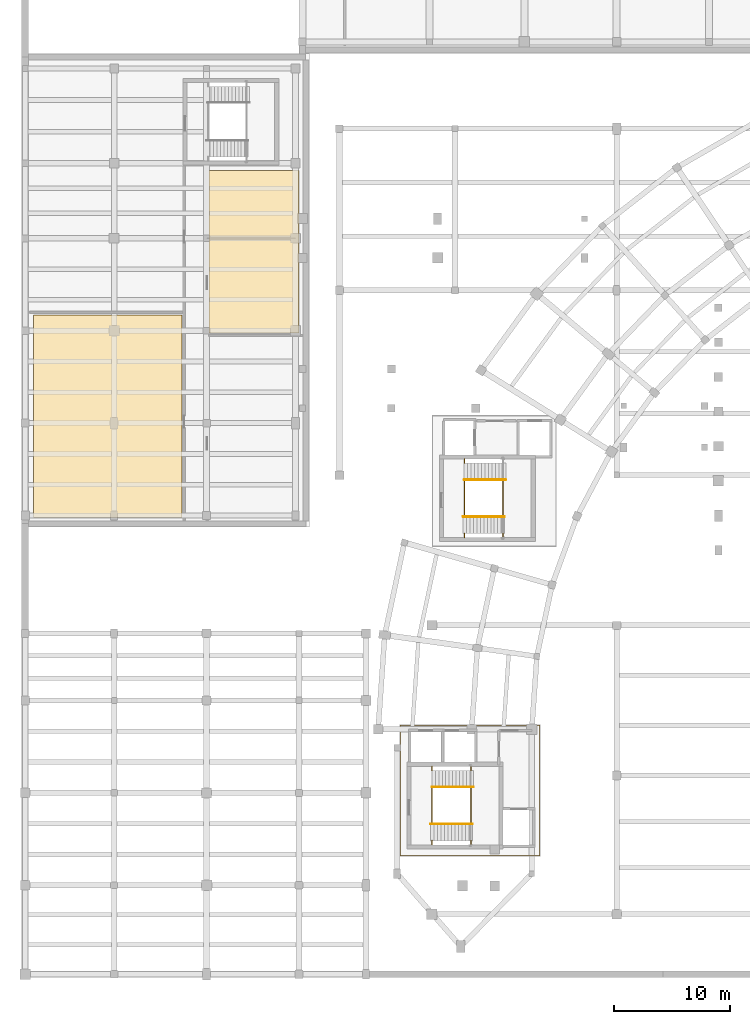
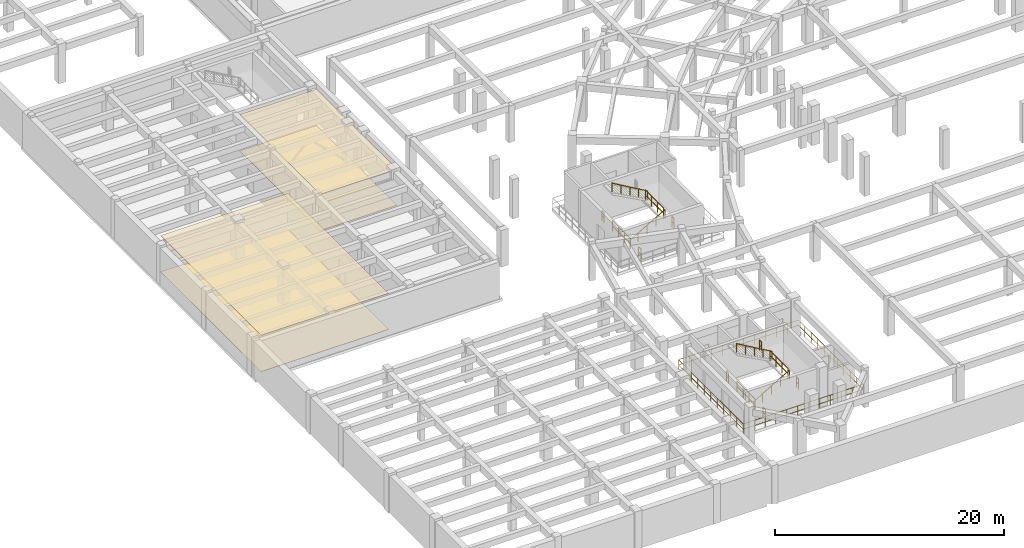
# One storey, part 29 of 35: 16 railings, 4 coverings.
"""IFC4 building model written with IfcOpenShell, lengths in metres."""

import ifcopenshell
import ifcopenshell.guid

model = None  # the IFC model being written
_history = None  # IfcOwnerHistory: only IFC2X3 demands one
_inside = {}  # id of a spatial element -> (the spatial element, [elements in it])
_under = {}  # id of a project, library or spatial element -> (it, [spatial elements below it])
_declared = {}  # id of a project -> (the project, [libraries it declares])
_typed = {}  # id of a type object -> (the type object, [elements of that type])
_made_of = {}  # id of a material, layer set ... -> (it, [elements and type objects made of it])


def new_model(schema):
    """Start an empty IFC model of exactly this schema.

    Asked for "IFC4X3", IfcOpenShell would pick the latest addendum, in which some entities
    have other attributes; the version numbers below select the first issue.
    IFC2X3 requires an IfcOwnerHistory on every rooted entity: one is made here for all.
    """
    global model, _history
    if schema == "IFC4X3":
        model = ifcopenshell.file(schema_version=(4, 3, 0, 0))
    else:
        model = ifcopenshell.file(schema=schema)
    _inside.clear()
    _under.clear()
    _declared.clear()
    _typed.clear()
    _made_of.clear()
    _history = None
    if model.schema == "IFC2X3":
        org = make("IfcOrganization", Name="unknown")
        user = make(
            "IfcPersonAndOrganization",
            ThePerson=make("IfcPerson", FamilyName="unknown"),
            TheOrganization=org,
        )
        app = make(
            "IfcApplication",
            ApplicationDeveloper=org,
            Version="unknown",
            ApplicationFullName="unknown",
            ApplicationIdentifier="unknown",
        )
        _history = make(
            "IfcOwnerHistory",
            OwningUser=user,
            OwningApplication=app,
            ChangeAction="ADDED",
            CreationDate=0,
        )
    return model


def make(cls, **values):
    """One entity of the class cls with the attributes given. An attribute that is None is left unset."""
    return model.create_entity(
        cls, **{name: value for name, value in values.items() if value is not None}
    )


def rooted(cls, **values):
    """An entity with a GlobalId (a new one), such as an element, a storey or a relation."""
    return make(cls, GlobalId=ifcopenshell.guid.new(), OwnerHistory=_history, **values)


def si_unit(unit_type, name, prefix=None):
    """IfcSIUnit, for example si_unit("LENGTHUNIT", "METRE", prefix="MILLI")."""
    return make("IfcSIUnit", UnitType=unit_type, Prefix=prefix, Name=name)


def assignment(units):
    """IfcUnitAssignment: the units of a project."""
    return None if units is None else make("IfcUnitAssignment", Units=units)


def point(xyz):
    """IfcCartesianPoint."""
    return None if xyz is None else make("IfcCartesianPoint", Coordinates=xyz)


def direction(xyz):
    """IfcDirection."""
    return None if xyz is None else make("IfcDirection", DirectionRatios=xyz)


def frame(location, z_axis=None, x_axis=None):
    """IfcAxis2Placement3D, a coordinate frame: its origin and axes. An axis left out is left unset."""
    return make(
        "IfcAxis2Placement3D",
        Location=point(location),
        Axis=direction(z_axis),
        RefDirection=direction(x_axis),
    )


def frame_2d(location, x_axis=None):
    """IfcAxis2Placement2D, a coordinate frame in the plane: its origin and x axis."""
    return make(
        "IfcAxis2Placement2D", Location=point(location), RefDirection=direction(x_axis)
    )


def origin():
    """The frame at (0, 0, 0) with its axes left unset."""
    return frame((0.0, 0.0, 0.0))


def origin_2d():
    """The frame at (0, 0) in the plane with its x axis left unset."""
    return frame_2d((0.0, 0.0))


def place(relative_to, where):
    """IfcLocalPlacement: puts the frame where relative to a parent placement (None: the world)."""
    return make(
        "IfcLocalPlacement", PlacementRelTo=relative_to, RelativePlacement=where
    )


def context(
    kind, dimensions, precision=None, world=None, true_north=None, identifier=None
):
    """IfcGeometricRepresentationContext, for example the 3D "Model" context."""
    return make(
        "IfcGeometricRepresentationContext",
        ContextIdentifier=identifier,
        ContextType=kind,
        CoordinateSpaceDimension=dimensions,
        Precision=precision,
        WorldCoordinateSystem=world,
        TrueNorth=true_north,
    )


def subcontext(parent, identifier, kind, view, scale=None):
    """IfcGeometricRepresentationSubContext, for example "Body" below "Model"."""
    return make(
        "IfcGeometricRepresentationSubContext",
        ContextIdentifier=identifier,
        ContextType=kind,
        ParentContext=parent,
        TargetScale=scale,
        TargetView=view,
    )


def project(units=None, contexts=None):
    """IfcProject with its units and contexts."""
    return rooted(
        "IfcProject",
        Name="project",
        RepresentationContexts=contexts,
        UnitsInContext=assignment(units),
    )


def spatial(cls, under=None, at=None, **own):
    """A site, building, storey or space (cls), placed at a placement, below another one or the project."""
    s = rooted(cls, ObjectPlacement=at, **own)
    if under is not None:
        _under.setdefault(under.id(), (under, []))[1].append(s)
    return s


def polyline(points):
    """IfcPolyline through the points."""
    return make("IfcPolyline", Points=[point(p) for p in points])


def profile(cls, at=None, kind="AREA", **sizes):
    """A parametric profile (cls). Its sizes go by their IFC names, for example OverallWidth=200.0."""
    return make(cls, ProfileType=kind, Position=at, **sizes)


def circle(**sizes):
    """IfcCircleProfileDef."""
    return profile("IfcCircleProfileDef", **sizes)


def outline(outer, holes=None, kind="AREA"):
    """IfcArbitraryClosedProfileDef: a profile drawn as a closed curve; with holes, ...WithVoids."""
    if holes is None:
        return make("IfcArbitraryClosedProfileDef", ProfileType=kind, OuterCurve=outer)
    return make(
        "IfcArbitraryProfileDefWithVoids",
        ProfileType=kind,
        OuterCurve=outer,
        InnerCurves=holes,
    )


def extrude(swept, where, along, depth):
    """IfcExtrudedAreaSolid: the profile swept, set in the frame where, extruded along a direction by depth."""
    return make(
        "IfcExtrudedAreaSolid",
        SweptArea=swept,
        Position=where,
        ExtrudedDirection=direction(along),
        Depth=depth,
    )


def shape(context_of_items, identifier, shape_type, items):
    """IfcShapeRepresentation: the items that make up one representation, for example the "Body"."""
    return make(
        "IfcShapeRepresentation",
        ContextOfItems=context_of_items,
        RepresentationIdentifier=identifier,
        RepresentationType=shape_type,
        Items=items,
    )


def material(Name=None, Category=None):
    """IfcMaterial."""
    return make("IfcMaterial", Name=Name, Category=Category)


def layer(
    of_material, thickness, ventilated=None, Name=None, Category=None, Priority=None
):
    """IfcMaterialLayer: one layer of a wall or slab, of a material (None: an air gap)."""
    return make(
        "IfcMaterialLayer",
        Material=of_material,
        LayerThickness=thickness,
        IsVentilated=ventilated,
        Name=Name,
        Category=Category,
        Priority=Priority,
    )


def layer_set(layers, Name=None):
    """IfcMaterialLayerSet."""
    return make("IfcMaterialLayerSet", MaterialLayers=layers, LayerSetName=Name)


def made_of(thing, what):
    """Note that an element or type object is made of a material, layer set ...; save() writes the relation."""
    if what is not None:
        _made_of.setdefault(what.id(), (what, []))[1].append(thing)
    return thing


def type_object(cls, material=None, **own):
    """A type object (cls), such as IfcWallType, which elements share."""
    return made_of(rooted(cls, **own), material)


def element(
    cls,
    number,
    at=None,
    inside=None,
    cuts=None,
    type_object=None,
    material=None,
    context=None,
    identifier="Body",
    shape_type=None,
    held_by="IfcProductDefinitionShape",
    body=None,
    shapes=None,
    **own,
):
    """One element of the class cls, such as IfcWall. Its Tag is "e" and its number.

    at: its placement. inside: the storey or other place that contains it. cuts: it is an
    opening in that element (IfcRelVoidsElement). A single representation is given by context,
    identifier, shape_type and body (its items); several are given by shapes. held_by: the class
    of the entity that holds the representations. save() writes the other relations.
    """
    e = rooted(cls, Tag="e%d" % number, ObjectPlacement=at, **own)
    if body is not None:
        shapes = [shape(context, identifier, shape_type, body)]
    if shapes is not None:
        e.Representation = make(held_by, Representations=shapes)
    if inside is not None:
        _inside.setdefault(inside.id(), (inside, []))[1].append(e)
    if cuts is not None:
        rooted(
            "IfcRelVoidsElement", RelatingBuildingElement=cuts, RelatedOpeningElement=e
        )
    if type_object is not None:
        _typed.setdefault(type_object.id(), (type_object, []))[1].append(e)
    return made_of(e, material)


def aggregate(whole, parts):
    """IfcRelAggregates: a whole, such as a stair, and the parts it consists of."""
    return rooted("IfcRelAggregates", RelatingObject=whole, RelatedObjects=parts)


def save(model, path):
    """Write the relations noted so far, then the file.

    IfcRelAggregates (storeys below a building ...), IfcRelContainedInSpatialStructure (elements
    in a storey), IfcRelDefinesByType, IfcRelAssociatesMaterial and IfcRelDeclares: one each for
    every whole, place, type object, material and project.
    """
    for whole, parts in _under.values():
        aggregate(whole, parts)
    for where, things in _inside.values():
        rooted(
            "IfcRelContainedInSpatialStructure",
            RelatedElements=things,
            RelatingStructure=where,
        )
    for kind, things in _typed.values():
        rooted("IfcRelDefinesByType", RelatedObjects=things, RelatingType=kind)
    for what, things in _made_of.values():
        rooted("IfcRelAssociatesMaterial", RelatedObjects=things, RelatingMaterial=what)
    for by, libraries in _declared.values():
        rooted("IfcRelDeclares", RelatingContext=by, RelatedDefinitions=libraries)
    model.write(path)


model = new_model("IFC4")

# Units and contexts
model_context = context("Model", 3, precision=1e-05, world=origin(), true_north=direction((0.0, 1.0)))
body_context = subcontext(model_context, "Body", "Model", "MODEL_VIEW")
ifc_project = project(units=[si_unit("LENGTHUNIT", "METRE"), si_unit("AREAUNIT", "SQUARE_METRE"), si_unit("VOLUMEUNIT", "CUBIC_METRE"), si_unit("PLANEANGLEUNIT", "RADIAN"), si_unit("MASSUNIT", "GRAM", prefix="KILO"), si_unit("THERMODYNAMICTEMPERATUREUNIT", "KELVIN"), si_unit("POWERUNIT", "WATT")], contexts=[model_context])

# Site, building, storey
site_placement = place(None, origin())
site = spatial("IfcSite", under=ifc_project, at=site_placement, CompositionType="ELEMENT")
building_placement = place(site_placement, origin())
building = spatial("IfcBuilding", under=site, at=building_placement, Name="Solvatero Civic Police Headquarters", CompositionType="ELEMENT")
storey_placement = place(building_placement, frame((0.0, 0.0, -4.199951171875)))
storey = spatial("IfcBuildingStorey", under=building, at=storey_placement, Name="B01", CompositionType="ELEMENT", Elevation=-4.199951171875)

# Coverings
ifc_material_1 = material(Name="Mineral-Fibre Acoustic Tile", Category="gypsum")
ifc_layer_1 = layer(ifc_material_1, 0.02490234375)
ifc_layer_set_1 = layer_set([ifc_layer_1], Name="Mineral-Fibre Acoustic Tile")
covering_type_1 = type_object("IfcCoveringType", Name="COV-CEIL-AC", PredefinedType="CEILING", material=ifc_layer_set_1)
covering_1_placement = place(storey_placement, frame((0.0, 0.0, 3.875)))
element("IfcCovering", 1, at=covering_1_placement, inside=storey, type_object=covering_type_1, Name="Acoustic Ceiling Central Evidence Intake and Barcoding Room", PredefinedType="CEILING", context=body_context, shape_type="SweptSolid", body=[
    extrude(outline(polyline([(5.52001953125, 44.320068359375), (5.52001953125, 61.8798828125), (18.3798828125, 61.8798828125), (18.3798828125, 44.320068359375), (5.52001953125, 44.320068359375)])), origin(), (0.0, 0.0, 1.0), 0.02490234375),
])
covering_2_placement = place(storey_placement, frame((0.0, 0.0, 3.875)))
element("IfcCovering", 2, at=covering_2_placement, inside=storey, type_object=covering_type_1, Name="Acoustic Ceiling Resilient Telecoms MDF Room A", PredefinedType="CEILING", context=body_context, shape_type="SweptSolid", body=[
    extrude(outline(polyline([(20.719970703125, 60.320068359375), (20.719970703125, 74.3798828125), (28.47998046875, 74.3798828125), (28.47998046875, 60.320068359375), (20.719970703125, 60.320068359375)])), origin(), (0.0, 0.0, 1.0), 0.02490234375),
])
ifc_material_2 = material(Name="Venetian Terrazzo Stone", Category="masonry")
ifc_layer_2 = layer(ifc_material_2, 0.034912109375)
ifc_layer_set_2 = layer_set([ifc_layer_2], Name="Venetian Terrazzo Stone")
covering_type_2 = type_object("IfcCoveringType", Name="COV-FLR-TER", PredefinedType="FLOORING", material=ifc_layer_set_2)
covering_3_placement = place(storey_placement, origin())
element("IfcCovering", 3, at=covering_3_placement, inside=storey, type_object=covering_type_2, Name="Flooring Central Evidence Intake and Barcoding Room", PredefinedType="FLOORING", context=body_context, shape_type="SweptSolid", body=[
    extrude(outline(polyline([(5.52001953125, 44.320068359375), (5.52001953125, 61.8798828125), (18.3798828125, 61.8798828125), (18.3798828125, 44.320068359375), (5.52001953125, 44.320068359375)])), origin(), (0.0, 0.0, 1.0), 0.034912109375),
])
covering_4_placement = place(storey_placement, origin())
element("IfcCovering", 4, at=covering_4_placement, inside=storey, type_object=covering_type_2, Name="Flooring Resilient Telecoms MDF Room A", PredefinedType="FLOORING", context=body_context, shape_type="SweptSolid", body=[
    extrude(outline(polyline([(20.719970703125, 60.320068359375), (20.719970703125, 74.3798828125), (28.47998046875, 74.3798828125), (28.47998046875, 60.320068359375), (20.719970703125, 60.320068359375)])), origin(), (0.0, 0.0, 1.0), 0.034912109375),
])

# Railings
ifc_material_3 = material(Name="Painted Galvanized Steel", Category="steel")
railing_type_1 = type_object("IfcRailingType", Name="RL-GRD-110", PredefinedType="GUARDRAIL", material=ifc_material_3)
railing_1_placement = place(storey_placement, frame((40.030029296875, 17.830078125, 0.0)))
element("IfcRailing", 5, at=railing_1_placement, inside=storey, type_object=railing_type_1, Name="ST-C1 B01 Floor Well Guardrail", PredefinedType="GUARDRAIL", context=body_context, shape_type="SweptSolid", body=[
    extrude(circle(Radius=0.02392578125, at=origin_2d()), frame((0.0, 0.0, 1.09619140625), z_axis=(0.0, 1.0, 0.0), x_axis=(-1.0, 0.0, 0.0)), (0.0, 0.0, 1.0), 3.139892578125),
    extrude(circle(Radius=0.02392578125, at=origin_2d()), frame((0.0, 0.0, 0.5361328125), z_axis=(0.0, 1.0, 0.0), x_axis=(-1.0, 0.0, 0.0)), (0.0, 0.0, 1.0), 3.139892578125),
    extrude(circle(Radius=0.02099609375, at=origin_2d()), origin(), (0.0, 0.0, 1.0), 1.072021484375),
    extrude(circle(Radius=0.02099609375, at=origin_2d()), frame((0.0, 1.046630859375, 0.0)), (0.0, 0.0, 1.0), 1.072021484375),
    extrude(circle(Radius=0.02099609375, at=origin_2d()), frame((0.0, 2.09326171875, 0.0)), (0.0, 0.0, 1.0), 1.072021484375),
    extrude(circle(Radius=0.02099609375, at=origin_2d()), frame((0.0, 3.139892578125, 0.0)), (0.0, 0.0, 1.0), 1.072021484375),
])
for number, where, name in (
    (6, (40.030029296875, 16.010009765625, 0.0), "ST-C1 B01 Floor Well South Slot Guardrail"),
    (7, (40.030029296875, 22.429931640625, 0.0), "ST-C1 B01 Floor Well North Slot Guardrail"),
):
    element("IfcRailing", number, at=place(storey_placement, frame(where)), inside=storey, type_object=railing_type_1, Name=name, PredefinedType="GUARDRAIL", context=body_context, shape_type="SweptSolid", body=[
        extrude(circle(Radius=0.02392578125, at=origin_2d()), frame((0.0, 0.0, 1.09619140625), z_axis=(0.0, 1.0, 0.0), x_axis=(-1.0, 0.0, 0.0)), (0.0, 0.0, 1.0), 0.360107421875),
        extrude(circle(Radius=0.02392578125, at=origin_2d()), frame((0.0, 0.0, 0.5361328125), z_axis=(0.0, 1.0, 0.0), x_axis=(-1.0, 0.0, 0.0)), (0.0, 0.0, 1.0), 0.360107421875),
        extrude(circle(Radius=0.02099609375, at=origin_2d()), origin(), (0.0, 0.0, 1.0), 1.072021484375),
        extrude(circle(Radius=0.02099609375, at=origin_2d()), frame((0.0, 0.360107421875, 0.0)), (0.0, 0.0, 1.0), 1.072021484375),
    ])
railing_2_placement = place(storey_placement, frame((43.3701171875, 17.830078125, 2.099853515625)))
element("IfcRailing", 8, at=railing_2_placement, inside=storey, type_object=railing_type_1, Name="ST-C1 B01 Half-Landing Well Guardrail", PredefinedType="GUARDRAIL", context=body_context, shape_type="SweptSolid", body=[
    extrude(circle(Radius=0.02392578125, at=origin_2d()), frame((0.0, 0.0, 1.09619140625), z_axis=(0.0, 1.0, 0.0), x_axis=(-1.0, 0.0, 0.0)), (0.0, 0.0, 1.0), 3.139892578125),
    extrude(circle(Radius=0.02392578125, at=origin_2d()), frame((0.0, 0.0, 0.5361328125), z_axis=(0.0, 1.0, 0.0), x_axis=(-1.0, 0.0, 0.0)), (0.0, 0.0, 1.0), 3.139892578125),
    extrude(circle(Radius=0.02099609375, at=origin_2d()), origin(), (0.0, 0.0, 1.0), 1.072021484375),
    extrude(circle(Radius=0.02099609375, at=origin_2d()), frame((0.0, 1.046630859375, 0.0)), (0.0, 0.0, 1.0), 1.072021484375),
    extrude(circle(Radius=0.02099609375, at=origin_2d()), frame((0.0, 2.09326171875, 0.0)), (0.0, 0.0, 1.0), 1.072021484375),
    extrude(circle(Radius=0.02099609375, at=origin_2d()), frame((0.0, 3.139892578125, 0.0)), (0.0, 0.0, 1.0), 1.072021484375),
])
for number, where, name in (
    (9, (43.3701171875, 16.010009765625, 2.099853515625), "ST-C1 B01 Half-Landing South Slot Guardrail"),
    (10, (43.3701171875, 22.429931640625, 2.099853515625), "ST-C1 B01 Half-Landing North Slot Guardrail"),
):
    element("IfcRailing", number, at=place(storey_placement, frame(where)), inside=storey, type_object=railing_type_1, Name=name, PredefinedType="GUARDRAIL", context=body_context, shape_type="SweptSolid", body=[
        extrude(circle(Radius=0.02392578125, at=origin_2d()), frame((0.0, 0.0, 1.09619140625), z_axis=(0.0, 1.0, 0.0), x_axis=(-1.0, 0.0, 0.0)), (0.0, 0.0, 1.0), 0.360107421875),
        extrude(circle(Radius=0.02392578125, at=origin_2d()), frame((0.0, 0.0, 0.5361328125), z_axis=(0.0, 1.0, 0.0), x_axis=(-1.0, 0.0, 0.0)), (0.0, 0.0, 1.0), 0.360107421875),
        extrude(circle(Radius=0.02099609375, at=origin_2d()), origin(), (0.0, 0.0, 1.0), 1.072021484375),
        extrude(circle(Radius=0.02099609375, at=origin_2d()), frame((0.0, 0.360107421875, 0.0)), (0.0, 0.0, 1.0), 1.072021484375),
    ])
railing_3_placement = place(storey_placement, frame((42.830078125, 44.429931640625, 0.0)))
element("IfcRailing", 11, at=railing_3_placement, inside=storey, type_object=railing_type_1, Name="ST-C2 B01 Floor Well Guardrail", PredefinedType="GUARDRAIL", context=body_context, shape_type="SweptSolid", body=[
    extrude(circle(Radius=0.02392578125, at=origin_2d()), frame((0.0, 0.0, 1.09619140625), z_axis=(0.0, 1.0, 0.0), x_axis=(-1.0, 0.0, 0.0)), (0.0, 0.0, 1.0), 3.14013671875),
    extrude(circle(Radius=0.02392578125, at=origin_2d()), frame((0.0, 0.0, 0.5361328125), z_axis=(0.0, 1.0, 0.0), x_axis=(-1.0, 0.0, 0.0)), (0.0, 0.0, 1.0), 3.14013671875),
    extrude(circle(Radius=0.02099609375, at=origin_2d()), origin(), (0.0, 0.0, 1.0), 1.072021484375),
    extrude(circle(Radius=0.02099609375, at=origin_2d()), frame((0.0, 1.046630859375, 0.0)), (0.0, 0.0, 1.0), 1.072021484375),
    extrude(circle(Radius=0.02099609375, at=origin_2d()), frame((0.0, 2.093505859375, 0.0)), (0.0, 0.0, 1.0), 1.072021484375),
    extrude(circle(Radius=0.02099609375, at=origin_2d()), frame((0.0, 3.14013671875, 0.0)), (0.0, 0.0, 1.0), 1.072021484375),
])
for number, where, name in (
    (12, (42.830078125, 42.610107421875, 0.0), "ST-C2 B01 Floor Well South Slot Guardrail"),
    (13, (42.830078125, 49.030029296875, 0.0), "ST-C2 B01 Floor Well North Slot Guardrail"),
):
    element("IfcRailing", number, at=place(storey_placement, frame(where)), inside=storey, type_object=railing_type_1, Name=name, PredefinedType="GUARDRAIL", context=body_context, shape_type="SweptSolid", body=[
        extrude(circle(Radius=0.02392578125, at=origin_2d()), frame((0.0, 0.0, 1.09619140625), z_axis=(0.0, 1.0, 0.0), x_axis=(-1.0, 0.0, 0.0)), (0.0, 0.0, 1.0), 0.35986328125),
        extrude(circle(Radius=0.02392578125, at=origin_2d()), frame((0.0, 0.0, 0.5361328125), z_axis=(0.0, 1.0, 0.0), x_axis=(-1.0, 0.0, 0.0)), (0.0, 0.0, 1.0), 0.35986328125),
        extrude(circle(Radius=0.02099609375, at=origin_2d()), origin(), (0.0, 0.0, 1.0), 1.072021484375),
        extrude(circle(Radius=0.02099609375, at=origin_2d()), frame((0.0, 0.35986328125, 0.0)), (0.0, 0.0, 1.0), 1.072021484375),
    ])
railing_4_placement = place(storey_placement, frame((46.169921875, 44.429931640625, 2.099853515625)))
element("IfcRailing", 14, at=railing_4_placement, inside=storey, type_object=railing_type_1, Name="ST-C2 B01 Half-Landing Well Guardrail", PredefinedType="GUARDRAIL", context=body_context, shape_type="SweptSolid", body=[
    extrude(circle(Radius=0.02392578125, at=origin_2d()), frame((0.0, 0.0, 1.09619140625), z_axis=(0.0, 1.0, 0.0), x_axis=(-1.0, 0.0, 0.0)), (0.0, 0.0, 1.0), 3.14013671875),
    extrude(circle(Radius=0.02392578125, at=origin_2d()), frame((0.0, 0.0, 0.5361328125), z_axis=(0.0, 1.0, 0.0), x_axis=(-1.0, 0.0, 0.0)), (0.0, 0.0, 1.0), 3.14013671875),
    extrude(circle(Radius=0.02099609375, at=origin_2d()), origin(), (0.0, 0.0, 1.0), 1.072021484375),
    extrude(circle(Radius=0.02099609375, at=origin_2d()), frame((0.0, 1.046630859375, 0.0)), (0.0, 0.0, 1.0), 1.072021484375),
    extrude(circle(Radius=0.02099609375, at=origin_2d()), frame((0.0, 2.093505859375, 0.0)), (0.0, 0.0, 1.0), 1.072021484375),
    extrude(circle(Radius=0.02099609375, at=origin_2d()), frame((0.0, 3.14013671875, 0.0)), (0.0, 0.0, 1.0), 1.072021484375),
])
railing_5_placement = place(storey_placement, frame((46.169921875, 42.610107421875, 2.099853515625)))
element("IfcRailing", 15, at=railing_5_placement, inside=storey, type_object=railing_type_1, Name="ST-C2 B01 Half-Landing South Slot Guardrail", PredefinedType="GUARDRAIL", context=body_context, shape_type="SweptSolid", body=[
    extrude(circle(Radius=0.02392578125, at=origin_2d()), frame((0.0, 0.0, 1.09619140625), z_axis=(0.0, 1.0, 0.0), x_axis=(-1.0, 0.0, 0.0)), (0.0, 0.0, 1.0), 0.35986328125),
    extrude(circle(Radius=0.02392578125, at=origin_2d()), frame((0.0, 0.0, 0.5361328125), z_axis=(0.0, 1.0, 0.0), x_axis=(-1.0, 0.0, 0.0)), (0.0, 0.0, 1.0), 0.35986328125),
    extrude(circle(Radius=0.02099609375, at=origin_2d()), origin(), (0.0, 0.0, 1.0), 1.072021484375),
    extrude(circle(Radius=0.02099609375, at=origin_2d()), frame((0.0, 0.35986328125, 0.0)), (0.0, 0.0, 1.0), 1.072021484375),
])
railing_6_placement = place(storey_placement, frame((37.25, 26.35009765625, 0.0)))
element("IfcRailing", 16, at=railing_6_placement, inside=storey, type_object=railing_type_1, Name="Deck Safety Guardrail RL-B01-C1-PERIM", PredefinedType="GUARDRAIL", context=body_context, shape_type="SweptSolid", body=[
    extrude(circle(Radius=0.02392578125, at=origin_2d()), frame((0.0, 0.0, 1.09619140625), z_axis=(0.0, -1.0, 0.0), x_axis=(1.0, 0.0, 0.0)), (0.0, 0.0, 1.0), 11.300048828125),
    extrude(circle(Radius=0.02392578125, at=origin_2d()), frame((0.0, 0.0, 0.5361328125), z_axis=(0.0, -1.0, 0.0), x_axis=(1.0, 0.0, 0.0)), (0.0, 0.0, 1.0), 11.300048828125),
    extrude(circle(Radius=0.02392578125, at=origin_2d()), frame((0.0, -11.300048828125, 1.09619140625), z_axis=(1.0, 0.0, 0.0), x_axis=(0.0, 1.0, 0.0)), (0.0, 0.0, 1.0), 12.10009765625),
    extrude(circle(Radius=0.02392578125, at=origin_2d()), frame((0.0, -11.300048828125, 0.5361328125), z_axis=(1.0, 0.0, 0.0), x_axis=(0.0, 1.0, 0.0)), (0.0, 0.0, 1.0), 12.10009765625),
    extrude(circle(Radius=0.02392578125, at=origin_2d()), frame((12.10009765625, -11.300048828125, 1.09619140625), z_axis=(0.0, 1.0, 0.0), x_axis=(-1.0, 0.0, 0.0)), (0.0, 0.0, 1.0), 11.300048828125),
    extrude(circle(Radius=0.02392578125, at=origin_2d()), frame((12.10009765625, -11.300048828125, 0.5361328125), z_axis=(0.0, 1.0, 0.0), x_axis=(-1.0, 0.0, 0.0)), (0.0, 0.0, 1.0), 11.300048828125),
    extrude(circle(Radius=0.02392578125, at=origin_2d()), frame((12.10009765625, 0.0, 1.09619140625), z_axis=(-1.0, 0.0, 0.0), x_axis=(0.0, -1.0, 0.0)), (0.0, 0.0, 1.0), 12.10009765625),
    extrude(circle(Radius=0.02392578125, at=origin_2d()), frame((12.10009765625, 0.0, 0.5361328125), z_axis=(-1.0, 0.0, 0.0), x_axis=(0.0, -1.0, 0.0)), (0.0, 0.0, 1.0), 12.10009765625),
    extrude(circle(Radius=0.02099609375, at=origin_2d()), origin(), (0.0, 0.0, 1.0), 1.072021484375),
    extrude(circle(Radius=0.02099609375, at=origin_2d()), frame((0.0, -1.1298828125, 0.0)), (0.0, 0.0, 1.0), 1.072021484375),
    extrude(circle(Radius=0.02099609375, at=origin_2d()), frame((0.0, -2.260009765625, 0.0)), (0.0, 0.0, 1.0), 1.072021484375),
    extrude(circle(Radius=0.02099609375, at=origin_2d()), frame((0.0, -3.39013671875, 0.0)), (0.0, 0.0, 1.0), 1.072021484375),
    extrude(circle(Radius=0.02099609375, at=origin_2d()), frame((0.0, -4.52001953125, 0.0)), (0.0, 0.0, 1.0), 1.072021484375),
    extrude(circle(Radius=0.02099609375, at=origin_2d()), frame((0.0, -5.64990234375, 0.0)), (0.0, 0.0, 1.0), 1.072021484375),
    extrude(circle(Radius=0.02099609375, at=origin_2d()), frame((0.0, -6.780029296875, 0.0)), (0.0, 0.0, 1.0), 1.072021484375),
    extrude(circle(Radius=0.02099609375, at=origin_2d()), frame((0.0, -7.909912109375, 0.0)), (0.0, 0.0, 1.0), 1.072021484375),
    extrude(circle(Radius=0.02099609375, at=origin_2d()), frame((0.0, -9.0400390625, 0.0)), (0.0, 0.0, 1.0), 1.072021484375),
    extrude(circle(Radius=0.02099609375, at=origin_2d()), frame((0.0, -10.169921875, 0.0)), (0.0, 0.0, 1.0), 1.072021484375),
    extrude(circle(Radius=0.02099609375, at=origin_2d()), frame((0.0, -11.300048828125, 0.0)), (0.0, 0.0, 1.0), 1.072021484375),
    extrude(circle(Radius=0.02099609375, at=origin_2d()), frame((1.10009765625, -11.300048828125, 0.0)), (0.0, 0.0, 1.0), 1.072021484375),
    extrude(circle(Radius=0.02099609375, at=origin_2d()), frame((2.199951171875, -11.300048828125, 0.0)), (0.0, 0.0, 1.0), 1.072021484375),
    extrude(circle(Radius=0.02099609375, at=origin_2d()), frame((3.300048828125, -11.300048828125, 0.0)), (0.0, 0.0, 1.0), 1.072021484375),
    extrude(circle(Radius=0.02099609375, at=origin_2d()), frame((4.400146484375, -11.300048828125, 0.0)), (0.0, 0.0, 1.0), 1.072021484375),
    extrude(circle(Radius=0.02099609375, at=origin_2d()), frame((5.5, -11.300048828125, 0.0)), (0.0, 0.0, 1.0), 1.072021484375),
    extrude(circle(Radius=0.02099609375, at=origin_2d()), frame((6.60009765625, -11.300048828125, 0.0)), (0.0, 0.0, 1.0), 1.072021484375),
    extrude(circle(Radius=0.02099609375, at=origin_2d()), frame((7.699951171875, -11.300048828125, 0.0)), (0.0, 0.0, 1.0), 1.072021484375),
    extrude(circle(Radius=0.02099609375, at=origin_2d()), frame((8.800048828125, -11.300048828125, 0.0)), (0.0, 0.0, 1.0), 1.072021484375),
    extrude(circle(Radius=0.02099609375, at=origin_2d()), frame((9.900146484375, -11.300048828125, 0.0)), (0.0, 0.0, 1.0), 1.072021484375),
    extrude(circle(Radius=0.02099609375, at=origin_2d()), frame((11.0, -11.300048828125, 0.0)), (0.0, 0.0, 1.0), 1.072021484375),
    extrude(circle(Radius=0.02099609375, at=origin_2d()), frame((12.10009765625, -11.300048828125, 0.0)), (0.0, 0.0, 1.0), 1.072021484375),
    extrude(circle(Radius=0.02099609375, at=origin_2d()), frame((12.10009765625, -10.169921875, 0.0)), (0.0, 0.0, 1.0), 1.072021484375),
    extrude(circle(Radius=0.02099609375, at=origin_2d()), frame((12.10009765625, -9.0400390625, 0.0)), (0.0, 0.0, 1.0), 1.072021484375),
    extrude(circle(Radius=0.02099609375, at=origin_2d()), frame((12.10009765625, -7.91015625, 0.0)), (0.0, 0.0, 1.0), 1.072021484375),
    extrude(circle(Radius=0.02099609375, at=origin_2d()), frame((12.10009765625, -6.780029296875, 0.0)), (0.0, 0.0, 1.0), 1.072021484375),
    extrude(circle(Radius=0.02099609375, at=origin_2d()), frame((12.10009765625, -5.64990234375, 0.0)), (0.0, 0.0, 1.0), 1.072021484375),
    extrude(circle(Radius=0.02099609375, at=origin_2d()), frame((12.10009765625, -4.52001953125, 0.0)), (0.0, 0.0, 1.0), 1.072021484375),
    extrude(circle(Radius=0.02099609375, at=origin_2d()), frame((12.10009765625, -3.39013671875, 0.0)), (0.0, 0.0, 1.0), 1.072021484375),
    extrude(circle(Radius=0.02099609375, at=origin_2d()), frame((12.10009765625, -2.260009765625, 0.0)), (0.0, 0.0, 1.0), 1.072021484375),
    extrude(circle(Radius=0.02099609375, at=origin_2d()), frame((12.10009765625, -1.1298828125, 0.0)), (0.0, 0.0, 1.0), 1.072021484375),
    extrude(circle(Radius=0.02099609375, at=origin_2d()), frame((12.10009765625, 0.0, 0.0)), (0.0, 0.0, 1.0), 1.072021484375),
    extrude(circle(Radius=0.02099609375, at=origin_2d()), frame((11.0, 0.0, 0.0)), (0.0, 0.0, 1.0), 1.072021484375),
    extrude(circle(Radius=0.02099609375, at=origin_2d()), frame((9.900146484375, 0.0, 0.0)), (0.0, 0.0, 1.0), 1.072021484375),
    extrude(circle(Radius=0.02099609375, at=origin_2d()), frame((8.800048828125, 0.0, 0.0)), (0.0, 0.0, 1.0), 1.072021484375),
    extrude(circle(Radius=0.02099609375, at=origin_2d()), frame((7.699951171875, 0.0, 0.0)), (0.0, 0.0, 1.0), 1.072021484375),
    extrude(circle(Radius=0.02099609375, at=origin_2d()), frame((6.60009765625, 0.0, 0.0)), (0.0, 0.0, 1.0), 1.072021484375),
    extrude(circle(Radius=0.02099609375, at=origin_2d()), frame((5.5, 0.0, 0.0)), (0.0, 0.0, 1.0), 1.072021484375),
    extrude(circle(Radius=0.02099609375, at=origin_2d()), frame((4.400146484375, 0.0, 0.0)), (0.0, 0.0, 1.0), 1.072021484375),
    extrude(circle(Radius=0.02099609375, at=origin_2d()), frame((3.300048828125, 0.0, 0.0)), (0.0, 0.0, 1.0), 1.072021484375),
    extrude(circle(Radius=0.02099609375, at=origin_2d()), frame((2.199951171875, 0.0, 0.0)), (0.0, 0.0, 1.0), 1.072021484375),
    extrude(circle(Radius=0.02099609375, at=origin_2d()), frame((1.10009765625, 0.0, 0.0)), (0.0, 0.0, 1.0), 1.072021484375),
])
ifc_material_4 = material(Name="Brushed Stainless Steel", Category="steel")
railing_type_2 = type_object("IfcRailingType", Name="RL-HND-092", PredefinedType="HANDRAIL", material=ifc_material_4)
railing_7_placement = place(storey_placement, frame((39.89990234375, 17.800048828125, 0.0)))
element("IfcRailing", 17, at=railing_7_placement, inside=storey, type_object=railing_type_2, Name="ST-C1 B01 Flight 1 Handrail", PredefinedType="HANDRAIL", context=body_context, shape_type="SweptSolid", body=[
    extrude(circle(Radius=0.02392578125, at=origin_2d()), frame((0.0, 0.0, 0.89599609375), z_axis=(0.863800146258, 0.0, 0.503834603144), x_axis=(0.0, 1.0, 0.0)), (0.0, 0.0, 1.0), 4.167724609375),
    extrude(circle(Radius=0.02099609375, at=origin_2d()), origin(), (0.0, 0.0, 1.0), 0.871826171875),
    extrude(circle(Radius=0.02099609375, at=origin_2d()), frame((0.89990234375, 0.0, 0.52490234375)), (0.0, 0.0, 1.0), 0.871826171875),
    extrude(circle(Radius=0.02099609375, at=origin_2d()), frame((1.800048828125, 0.0, 1.0498046875)), (0.0, 0.0, 1.0), 0.871826171875),
    extrude(circle(Radius=0.02099609375, at=origin_2d()), frame((2.7001953125, 0.0, 1.574951171875)), (0.0, 0.0, 1.0), 0.871826171875),
    extrude(circle(Radius=0.02099609375, at=origin_2d()), frame((3.60009765625, 0.0, 2.099853515625)), (0.0, 0.0, 1.0), 0.871826171875),
])
railing_8_placement = place(storey_placement, frame((43.60009765625, 21.0, 2.099853515625)))
element("IfcRailing", 18, at=railing_8_placement, inside=storey, type_object=railing_type_2, Name="ST-C1 B01 Flight 2 Handrail", PredefinedType="HANDRAIL", context=body_context, shape_type="SweptSolid", body=[
    extrude(circle(Radius=0.02392578125, at=origin_2d()), frame((0.0, 0.0, 0.89599609375), z_axis=(-0.863774651768, 0.0, 0.503878309678), x_axis=(0.0, -1.0, 0.0)), (0.0, 0.0, 1.0), 4.16796875),
    extrude(circle(Radius=0.02099609375, at=origin_2d()), origin(), (0.0, 0.0, 1.0), 0.871826171875),
    extrude(circle(Radius=0.02099609375, at=origin_2d()), frame((-0.89990234375, 0.0, 0.52490234375)), (0.0, 0.0, 1.0), 0.871826171875),
    extrude(circle(Radius=0.02099609375, at=origin_2d()), frame((-1.800048828125, 0.0, 1.050048828125)), (0.0, 0.0, 1.0), 0.871826171875),
    extrude(circle(Radius=0.02099609375, at=origin_2d()), frame((-2.7001953125, 0.0, 1.5751953125)), (0.0, 0.0, 1.0), 0.871826171875),
    extrude(circle(Radius=0.02099609375, at=origin_2d()), frame((-3.60009765625, 0.0, 2.10009765625)), (0.0, 0.0, 1.0), 0.871826171875),
])
railing_9_placement = place(storey_placement, frame((42.699951171875, 44.39990234375, 0.0)))
element("IfcRailing", 19, at=railing_9_placement, inside=storey, type_object=railing_type_2, Name="ST-C2 B01 Flight 1 Handrail", PredefinedType="HANDRAIL", context=body_context, shape_type="SweptSolid", body=[
    extrude(circle(Radius=0.02392578125, at=origin_2d()), frame((0.0, 0.0, 0.89599609375), z_axis=(0.863800146258, 0.0, 0.503834603144), x_axis=(0.0, 1.0, 0.0)), (0.0, 0.0, 1.0), 4.167724609375),
    extrude(circle(Radius=0.02099609375, at=origin_2d()), origin(), (0.0, 0.0, 1.0), 0.871826171875),
    extrude(circle(Radius=0.02099609375, at=origin_2d()), frame((0.89990234375, 0.0, 0.52490234375)), (0.0, 0.0, 1.0), 0.871826171875),
    extrude(circle(Radius=0.02099609375, at=origin_2d()), frame((1.800048828125, 0.0, 1.0498046875)), (0.0, 0.0, 1.0), 0.871826171875),
    extrude(circle(Radius=0.02099609375, at=origin_2d()), frame((2.7001953125, 0.0, 1.574951171875)), (0.0, 0.0, 1.0), 0.871826171875),
    extrude(circle(Radius=0.02099609375, at=origin_2d()), frame((3.60009765625, 0.0, 2.099853515625)), (0.0, 0.0, 1.0), 0.871826171875),
])
railing_10_placement = place(storey_placement, frame((46.39990234375, 47.60009765625, 2.099853515625)))
element("IfcRailing", 20, at=railing_10_placement, inside=storey, type_object=railing_type_2, Name="ST-C2 B01 Flight 2 Handrail", PredefinedType="HANDRAIL", context=body_context, shape_type="SweptSolid", body=[
    extrude(circle(Radius=0.02392578125, at=origin_2d()), frame((0.0, 0.0, 0.89599609375), z_axis=(-0.863759778359, 0.0, 0.503903805591), x_axis=(0.0, -1.0, 0.0)), (0.0, 0.0, 1.0), 4.167724609375),
    extrude(circle(Radius=0.02099609375, at=origin_2d()), origin(), (0.0, 0.0, 1.0), 0.871826171875),
    extrude(circle(Radius=0.02099609375, at=origin_2d()), frame((-0.89990234375, 0.0, 0.52490234375)), (0.0, 0.0, 1.0), 0.871826171875),
    extrude(circle(Radius=0.02099609375, at=origin_2d()), frame((-1.7998046875, 0.0, 1.050048828125)), (0.0, 0.0, 1.0), 0.871826171875),
    extrude(circle(Radius=0.02099609375, at=origin_2d()), frame((-2.699951171875, 0.0, 1.5751953125)), (0.0, 0.0, 1.0), 0.871826171875),
    extrude(circle(Radius=0.02099609375, at=origin_2d()), frame((-3.599853515625, 0.0, 2.10009765625)), (0.0, 0.0, 1.0), 0.871826171875),
])

save(model, "model.ifc")
